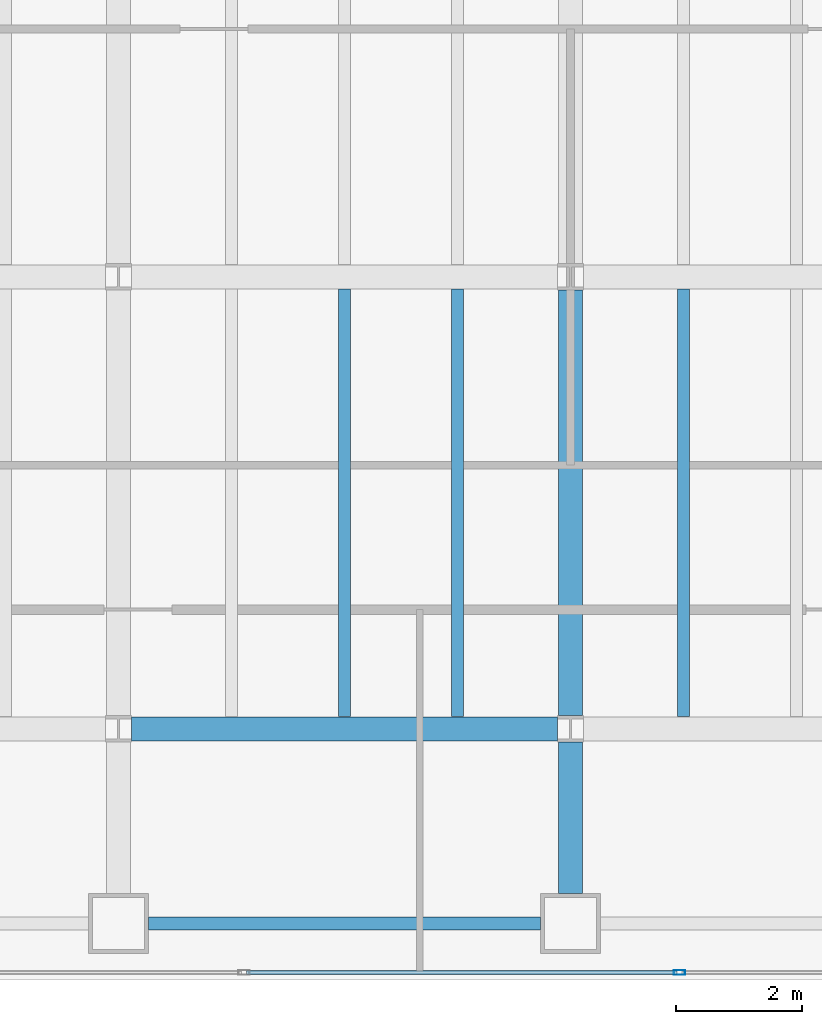
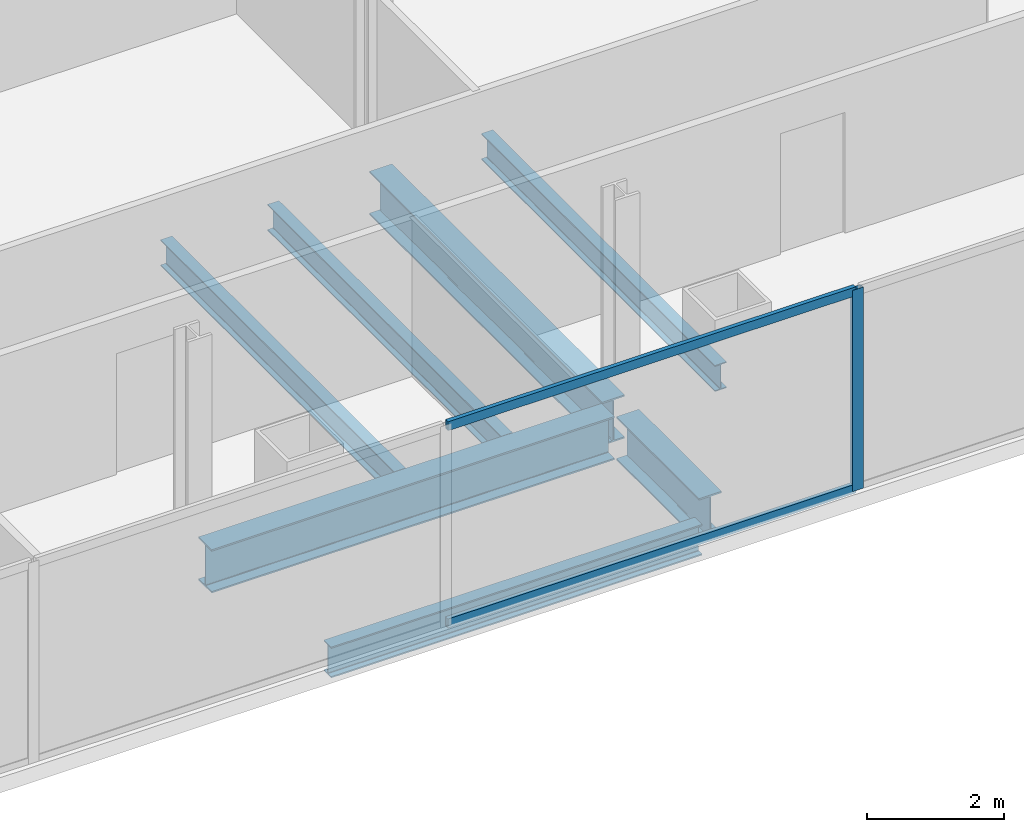
# One storey, part 5 of 23: 7 beams, 3 members, 1 element without a shape of its own.
"""IFC4 building model written with IfcOpenShell, lengths in metres."""

from ifc_helpers import new_model, si_unit, direction, frame, origin, origin_2d, place, context, subcontext, project, spatial, hollow_rectangle, i_section, extrude, material, material_profile, profile_set, type_object, element, aggregate, save


model = new_model("IFC4")

# Units and contexts
model_context = context("Model", 3, precision=1e-05, world=origin(), true_north=direction((0.0, 1.0)))
body_context = subcontext(model_context, "Body", "Model", "MODEL_VIEW")
ifc_project = project(units=[si_unit("LENGTHUNIT", "METRE"), si_unit("AREAUNIT", "SQUARE_METRE"), si_unit("VOLUMEUNIT", "CUBIC_METRE"), si_unit("PLANEANGLEUNIT", "RADIAN"), si_unit("MASSUNIT", "GRAM", prefix="KILO")], contexts=[model_context])

# Site, building, storey
site_placement = place(None, origin())
site = spatial("IfcSite", under=ifc_project, at=site_placement, CompositionType="ELEMENT")
building_placement = place(site_placement, origin())
building = spatial("IfcBuilding", under=site, at=building_placement, Name="Cobrela Telecom Tower", CompositionType="ELEMENT")
storey_placement = place(building_placement, frame((0.0, 0.0, 102.199951171875)))
storey = spatial("IfcBuildingStorey", under=building, at=storey_placement, Name="L25", CompositionType="ELEMENT", Elevation=102.199951171875)

# Beams
ifc_material_1 = material(Name="Steel ASTM A992 Grade 50", Category="steel")
ifc_material_profile_1 = material_profile(ifc_material_1, i_section(OverallWidth=0.381103515625, OverallDepth=0.77197265625, WebThickness=0.0166015625, FlangeThickness=0.027099609375, FilletRadius=0.01904296875, at=origin_2d()), Name="W30X173")
ifc_profile_set_1 = profile_set([ifc_material_profile_1], Name="Steel ASTM A992 Grade 50")
beam_type_1 = type_object("IfcBeamType", Name="BM-GIRD-04", PredefinedType="USERDEFINED", material=ifc_profile_set_1)
beam_1_placement = place(storey_placement, frame((21.8095703125, 7.199951171875, -0.656005859375), z_axis=(1.0, 0.0, 0.0), x_axis=(0.0, 1.0, 0.0)))
element("IfcBeam", 1, at=beam_1_placement, inside=storey, type_object=beam_type_1, Name="L25 Primary Girder X09", ObjectType="GIRDER", PredefinedType="USERDEFINED", context=body_context, shape_type="SweptSolid", body=[
    extrude(i_section(OverallWidth=0.381103515625, OverallDepth=0.77197265625, WebThickness=0.0166015625, FlangeThickness=0.027099609375, FilletRadius=0.01904296875, at=origin_2d()), origin(), (0.0, 0.0, 1.0), 6.781005859375),
])
beam_2_placement = place(storey_placement, frame((28.800048828125, 4.580078125, -0.656005859375), z_axis=(0.0, 1.0, 0.0), x_axis=(-1.0, 0.0, 0.0)))
element("IfcBeam", 2, at=beam_2_placement, inside=storey, type_object=beam_type_1, Name="L25 Primary Girder Y46", ObjectType="GIRDER", PredefinedType="USERDEFINED", context=body_context, shape_type="SweptSolid", body=[
    extrude(i_section(OverallWidth=0.381103515625, OverallDepth=0.77197265625, WebThickness=0.0166015625, FlangeThickness=0.027099609375, FilletRadius=0.01904296875, at=origin_2d()), origin(), (0.0, 0.0, 1.0), 2.410400390625),
])
beam_3_placement = place(storey_placement, frame((28.800048828125, 7.409423828125, -0.656005859375), z_axis=(0.0, 1.0, 0.0), x_axis=(-1.0, 0.0, 0.0)))
element("IfcBeam", 3, at=beam_3_placement, inside=storey, type_object=beam_type_1, Name="L25 Primary Girder Y47", ObjectType="GIRDER", PredefinedType="USERDEFINED", context=body_context, shape_type="SweptSolid", body=[
    extrude(i_section(OverallWidth=0.381103515625, OverallDepth=0.77197265625, WebThickness=0.0166015625, FlangeThickness=0.027099609375, FilletRadius=0.01904296875, at=origin_2d()), origin(), (0.0, 0.0, 1.0), 6.781005859375),
])
ifc_material_profile_2 = material_profile(ifc_material_1, i_section(OverallWidth=0.193115234375, OverallDepth=0.467041015625, WebThickness=0.011474609375, FlangeThickness=0.01904296875, FilletRadius=0.012939453125, at=origin_2d()), Name="W18X65")
ifc_profile_set_2 = profile_set([ifc_material_profile_2], Name="Steel ASTM A992 Grade 50")
beam_type_2 = type_object("IfcBeamType", Name="BM-JOIST-03", PredefinedType="JOIST", material=ifc_profile_set_2)
for number, where, z_axis, x_axis, name in (
    (4, (25.199951171875, 7.3955078125, -0.50341796875), (0.0, 1.0, 0.0), (-1.0, 0.0, 0.0), "L25 Secondary Composite Floor Beam J23"),
    (5, (27.0, 7.3955078125, -0.50341796875), (0.0, 1.0, 0.0), (-1.0, 0.0, 0.0), "L25 Secondary Composite Floor Beam J25"),
    (6, (30.60009765625, 7.3955078125, -0.50341796875), (0.0, 1.0, 0.0), (-1.0, 0.0, 0.0), "L25 Secondary Composite Floor Beam J27"),
):
    element("IfcBeam", number, at=place(storey_placement, frame(where, z_axis=z_axis, x_axis=x_axis)), inside=storey, type_object=beam_type_2, Name=name, PredefinedType="JOIST", context=body_context, shape_type="SweptSolid", body=[
        extrude(i_section(OverallWidth=0.193115234375, OverallDepth=0.467041015625, WebThickness=0.011474609375, FlangeThickness=0.01904296875, FilletRadius=0.012939453125, at=origin_2d()), origin(), (0.0, 0.0, 1.0), 6.80908203125),
    ])
ifc_material_profile_3 = material_profile(ifc_material_1, i_section(OverallWidth=0.212890625, OverallDepth=0.549072265625, WebThickness=0.0146484375, FlangeThickness=0.023681640625, FilletRadius=0.013916015625, at=origin_2d()), Name="W21X93")
ifc_profile_set_3 = profile_set([ifc_material_profile_3], Name="Steel ASTM A992 Grade 50")
beam_type_3 = type_object("IfcBeamType", Name="BM-SPAND-03", PredefinedType="SPANDREL", material=ifc_profile_set_3)
beam_4_placement = place(storey_placement, frame((22.080078125, 4.10009765625, -0.54443359375), z_axis=(1.0, 0.0, 0.0), x_axis=(0.0, 1.0, 0.0)))
element("IfcBeam", 7, at=beam_4_placement, inside=storey, type_object=beam_type_3, Name="L25 Perimeter Spandrel X03", PredefinedType="SPANDREL", context=body_context, shape_type="SweptSolid", body=[
    extrude(i_section(OverallWidth=0.212890625, OverallDepth=0.549072265625, WebThickness=0.0146484375, FlangeThickness=0.023681640625, FilletRadius=0.013916015625, at=origin_2d()), origin(), (0.0, 0.0, 1.0), 6.239990234375),
])

# Curtain wall, members
ifc_material_2 = material(Name="Anodized Bronze Aluminium 6063-T6", Category="aluminium")
curtain_wall_type = type_object("IfcCurtainWallType", Name="CW-SYS-TEL", PredefinedType="USERDEFINED", material=ifc_material_2)
curtain_wall_placement = place(storey_placement, origin())
curtain_wall = element("IfcCurtainWall", 8, at=curtain_wall_placement, inside=storey, type_object=curtain_wall_type, Name="L25 Unitised Bronze Curtain Wall 17", ObjectType="UNITISED CURTAIN WALL", PredefinedType="USERDEFINED")
ifc_material_profile_4 = material_profile(ifc_material_2, hollow_rectangle(XDim=0.074951171875, YDim=0.179931640625, WallThickness=0.00390625, at=origin_2d()), Name="ALU 75x180x4")
ifc_profile_set_4 = profile_set([ifc_material_profile_4], Name="Anodized Bronze Aluminium 6063-T6")
member_type_1 = type_object("IfcMemberType", Name="CW-SYS-TEL-MUL", PredefinedType="MULLION", material=ifc_profile_set_4)
member_1_placement = place(storey_placement, frame((30.53662109375, 3.320068359375, 0.0), z_axis=(0.0, 0.0, 1.0), x_axis=(0.0, -1.0, 0.0)))
member_1 = element("IfcMember", 9, at=member_1_placement, type_object=member_type_1, Name="CW-TEL mullion 3", PredefinedType="MULLION", context=body_context, shape_type="SweptSolid", body=[
    extrude(hollow_rectangle(XDim=0.074951171875, YDim=0.179931640625, WallThickness=0.00390625, at=origin_2d()), origin(), (0.0, 0.0, 1.0), 3.580078125),
])
ifc_material_profile_5 = material_profile(ifc_material_2, hollow_rectangle(XDim=0.070068359375, YDim=0.159912109375, WallThickness=0.00390625, at=origin_2d()), Name="ALU 70x160x4")
ifc_profile_set_5 = profile_set([ifc_material_profile_5], Name="Anodized Bronze Aluminium 6063-T6")
member_type_2 = type_object("IfcMemberType", Name="CW-SYS-TEL-TRN", PredefinedType="USERDEFINED", material=ifc_profile_set_5)
member_2_placement = place(storey_placement, frame((30.499267578125, 3.320068359375, 0.03515625), z_axis=(-1.0, 0.0, 0.0), x_axis=(0.0, -1.0, 0.0)))
member_2 = element("IfcMember", 10, at=member_2_placement, type_object=member_type_2, Name="CW-TEL transom 3.1", ObjectType="TRANSOM", PredefinedType="USERDEFINED", context=body_context, shape_type="SweptSolid", body=[
    extrude(hollow_rectangle(XDim=0.070068359375, YDim=0.159912109375, WallThickness=0.00390625, at=origin_2d()), origin(), (0.0, 0.0, 1.0), 6.86181640625),
])
member_3_placement = place(storey_placement, frame((30.499267578125, 3.320068359375, 3.545166015625), z_axis=(-1.0, 0.0, 0.0), x_axis=(0.0, -1.0, 0.0)))
member_3 = element("IfcMember", 11, at=member_3_placement, type_object=member_type_2, Name="CW-TEL transom 3.2", ObjectType="TRANSOM", PredefinedType="USERDEFINED", context=body_context, shape_type="SweptSolid", body=[
    extrude(hollow_rectangle(XDim=0.070068359375, YDim=0.159912109375, WallThickness=0.00390625, at=origin_2d()), origin(), (0.0, 0.0, 1.0), 6.86181640625),
])
aggregate(curtain_wall, [member_1, member_2, member_3])

save(model, "model.ifc")
